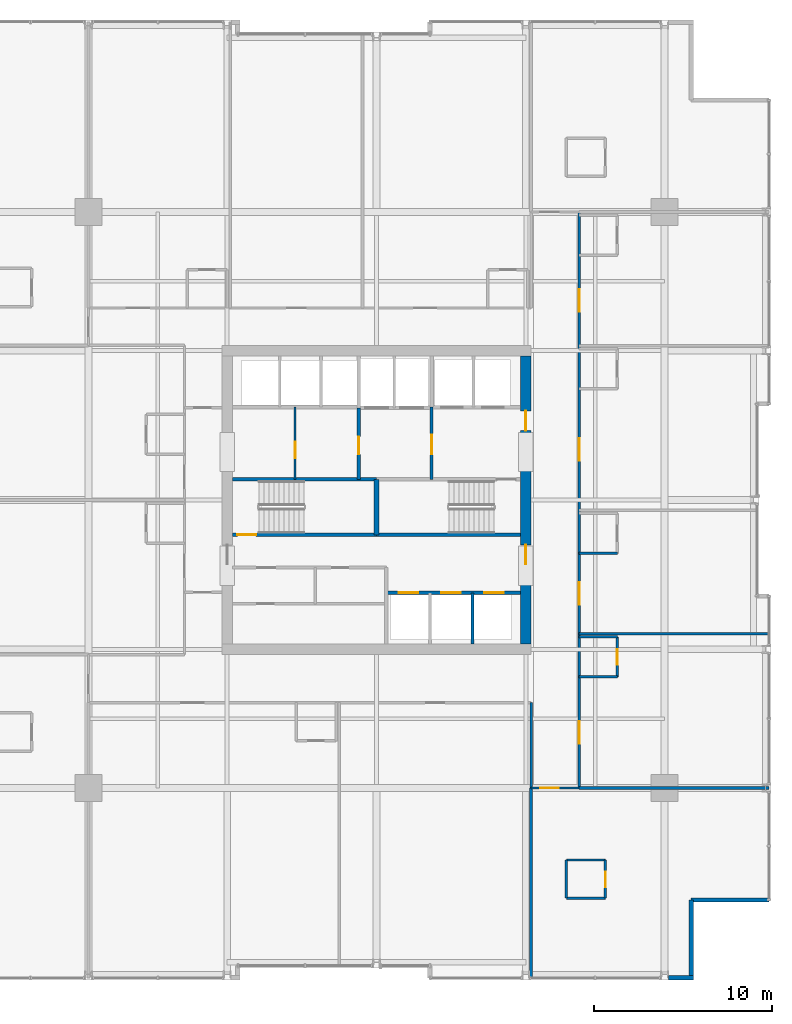
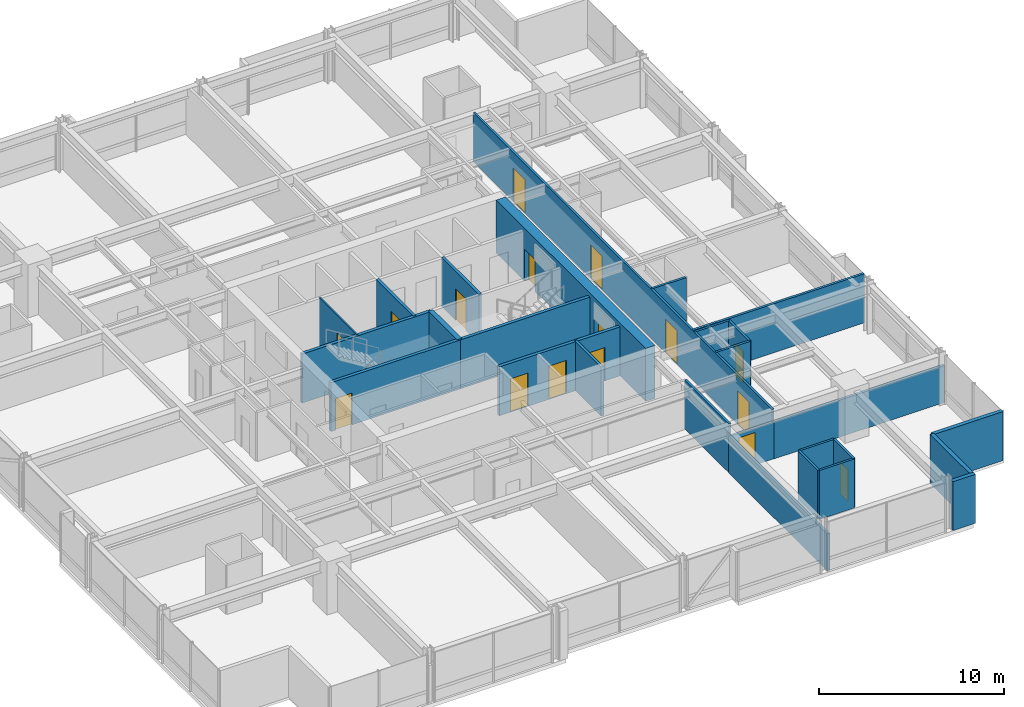
# One storey, part 29 of 34: 27 walls, 16 doors, 16 openings.
"""IFC4 building model written with IfcOpenShell, lengths in metres."""

from ifc_helpers import new_model, si_unit, direction, frame, frame_2d, origin, place, context, subcontext, project, spatial, rectangle, extrude, material, layer, layer_set, type_object, element, fill, save


model = new_model("IFC4")

# Units and contexts
model_context = context("Model", 3, precision=1e-05, world=origin(), true_north=direction((0.0, 1.0)))
body_context = subcontext(model_context, "Body", "Model", "MODEL_VIEW")
ifc_project = project(units=[si_unit("LENGTHUNIT", "METRE"), si_unit("AREAUNIT", "SQUARE_METRE"), si_unit("VOLUMEUNIT", "CUBIC_METRE"), si_unit("PLANEANGLEUNIT", "RADIAN"), si_unit("MASSUNIT", "GRAM", prefix="KILO")], contexts=[model_context])

# Site, building, storey
site_placement = place(None, origin())
site = spatial("IfcSite", under=ifc_project, at=site_placement, CompositionType="ELEMENT")
building_placement = place(site_placement, origin())
building = spatial("IfcBuilding", under=site, at=building_placement, Name="Drelvath Grand Hotel", CompositionType="ELEMENT")
storey_placement = place(building_placement, frame((0.0, 0.0, 109.300048828125)))
storey = spatial("IfcBuildingStorey", under=building, at=storey_placement, Name="L27", CompositionType="ELEMENT", Elevation=109.300048828125)

# Wall, opening, door
ifc_material_1 = material(Name="Gypsum Partition Board")
ifc_layer_1 = layer(ifc_material_1, 0.10009765625)
ifc_layer_set_1 = layer_set([ifc_layer_1], Name="Gypsum Partition Board")
wall_type_1 = type_object("IfcWallType", Name="Core Closet Partition 100", PredefinedType="PARTITIONING", material=ifc_layer_set_1)
wall_1_placement = place(storey_placement, frame((-4.580078125, 28.159912109375, 0.0), z_axis=(0.0, 0.0, 1.0), x_axis=(0.0, 1.0, 0.0)))
wall_1 = element("IfcWall", 1, at=wall_1_placement, inside=storey, type_object=wall_type_1, Name="L27 Core Closet Divider", PredefinedType="PARTITIONING", context=body_context, shape_type="SweptSolid", body=[
    extrude(rectangle(XDim=4.06005859375, YDim=0.10009765625, at=frame_2d((2.030029296875, 0.0))), origin(), (0.0, 0.0, 1.0), 3.239990234375),
])
opening_1_placement = place(wall_1_placement, frame((1.199951171875, 0.0, 0.0)))
opening_1 = element("IfcOpeningElement", 2, at=opening_1_placement, cuts=wall_1, Name="Opening D-T2G2-010", PredefinedType="OPENING", context=body_context, shape_type="SweptSolid", body=[
    extrude(rectangle(XDim=0.919921875, YDim=2.10009765625, at=frame_2d((0.4599609375, 1.050048828125))), frame((0.0, 0.06005859375, 0.0), z_axis=(0.0, -1.0, 0.0), x_axis=(1.0, 0.0, 0.0)), (0.0, 0.0, 1.0), 0.1201171875),
])
ifc_material_2 = material(Name="Painted Steel S275", Category="steel")
door_type_1 = type_object("IfcDoorType", Name="Staff Utility Door 920x2100", OperationType="NOTDEFINED", PredefinedType="DOOR", material=ifc_material_2)
door_1_placement = place(opening_1_placement, origin())
door_1 = element("IfcDoor", 3, at=door_1_placement, inside=storey, type_object=door_type_1, Name="L27 Electrical Closet Door", OperationType="SINGLE_SWING_RIGHT", OverallHeight=2.10009765625, OverallWidth=0.919921875, PredefinedType="DOOR", context=body_context, shape_type="SweptSolid", body=[
    extrude(rectangle(XDim=0.919921875, YDim=2.10009765625, at=frame_2d((0.4599609375, 1.050048828125))), frame((0.0, 0.02490234375, 0.0), z_axis=(0.0, -1.0, 0.0), x_axis=(1.0, 0.0, 0.0)), (0.0, 0.0, 1.0), 0.050048828125),
])
fill(opening_1, door_1)

# Wall, openings, doors
ifc_material_3 = material(Name="Concrete C40/50", Category="concrete")
ifc_layer_2 = layer(ifc_material_3, 0.199951171875)
ifc_layer_set_2 = layer_set([ifc_layer_2], Name="Concrete C40/50")
wall_type_2 = type_object("IfcWallType", Name="Core Hoistway Fire Wall 200", PredefinedType="SOLIDWALL", material=ifc_layer_set_2)
wall_2_placement = place(storey_placement, frame((8.10009765625, 21.780029296875, 0.0), z_axis=(0.0, 0.0, 1.0), x_axis=(-1.0, 0.0, 0.0)))
wall_2 = element("IfcWall", 4, at=wall_2_placement, inside=storey, type_object=wall_type_2, Name="L27 Bank 2 Hoistway Wall", PredefinedType="SOLIDWALL", context=body_context, shape_type="SweptSolid", body=[
    extrude(rectangle(XDim=7.550048828125, YDim=0.199951171875, at=frame_2d((3.77490234375, 0.0))), origin(), (0.0, 0.0, 1.0), 3.239990234375),
])
opening_2_placement = place(wall_2_placement, frame((5.75, 0.0, 0.0)))
opening_2 = element("IfcOpeningElement", 5, at=opening_2_placement, cuts=wall_2, Name="Opening LD-PE-4", PredefinedType="OPENING", context=body_context, shape_type="SweptSolid", body=[
    extrude(rectangle(XDim=1.10009765625, YDim=2.199951171875, at=frame_2d((0.550048828125, 1.10009765625))), frame((0.0, 0.10986328125, 0.0), z_axis=(0.0, -1.0, 0.0), x_axis=(1.0, 0.0, 0.0)), (0.0, 0.0, 1.0), 0.219970703125),
])
opening_3_placement = place(wall_2_placement, frame((3.35009765625, 0.0, 0.0)))
opening_3 = element("IfcOpeningElement", 6, at=opening_3_placement, cuts=wall_2, Name="Opening LD-PE-5", PredefinedType="OPENING", context=body_context, shape_type="SweptSolid", body=[
    extrude(rectangle(XDim=1.10009765625, YDim=2.199951171875, at=frame_2d((0.550048828125, 1.10009765625))), frame((0.0, 0.10986328125, 0.0), z_axis=(0.0, -1.0, 0.0), x_axis=(1.0, 0.0, 0.0)), (0.0, 0.0, 1.0), 0.219970703125),
])
opening_4_placement = place(wall_2_placement, frame((0.949951171875, 0.0, 0.0)))
opening_4 = element("IfcOpeningElement", 7, at=opening_4_placement, cuts=wall_2, Name="Opening LD-PE-6", PredefinedType="OPENING", context=body_context, shape_type="SweptSolid", body=[
    extrude(rectangle(XDim=1.10009765625, YDim=2.199951171875, at=frame_2d((0.550048828125, 1.10009765625))), frame((0.0, 0.10986328125, 0.0), z_axis=(0.0, -1.0, 0.0), x_axis=(1.0, 0.0, 0.0)), (0.0, 0.0, 1.0), 0.219970703125),
])
ifc_material_4 = material(Name="Stainless Steel S355", Category="steel")
door_type_2 = type_object("IfcDoorType", Name="Passenger Lift Sliding Landing Door 1100x2200", OperationType="NOTDEFINED", PredefinedType="DOOR", material=ifc_material_4)
door_2_placement = place(opening_2_placement, origin())
door_2 = element("IfcDoor", 8, at=door_2_placement, inside=storey, type_object=door_type_2, Name="L27 Lift PE-4 Landing Door", OperationType="SLIDING_TO_LEFT", OverallHeight=2.199951171875, OverallWidth=1.10009765625, PredefinedType="DOOR", context=body_context, shape_type="SweptSolid", body=[
    extrude(rectangle(XDim=1.10009765625, YDim=2.199951171875, at=frame_2d((0.550048828125, 1.10009765625))), frame((0.0, 0.02490234375, 0.0), z_axis=(0.0, -1.0, 0.0), x_axis=(1.0, 0.0, 0.0)), (0.0, 0.0, 1.0), 0.050048828125),
])
fill(opening_2, door_2)
door_3_placement = place(opening_3_placement, origin())
door_3 = element("IfcDoor", 9, at=door_3_placement, inside=storey, type_object=door_type_2, Name="L27 Lift PE-5 Landing Door", OperationType="SLIDING_TO_LEFT", OverallHeight=2.199951171875, OverallWidth=1.10009765625, PredefinedType="DOOR", context=body_context, shape_type="SweptSolid", body=[
    extrude(rectangle(XDim=1.10009765625, YDim=2.199951171875, at=frame_2d((0.550048828125, 1.10009765625))), frame((0.0, 0.02490234375, 0.0), z_axis=(0.0, -1.0, 0.0), x_axis=(1.0, 0.0, 0.0)), (0.0, 0.0, 1.0), 0.050048828125),
])
fill(opening_3, door_3)
door_4_placement = place(opening_4_placement, origin())
door_4 = element("IfcDoor", 10, at=door_4_placement, inside=storey, type_object=door_type_2, Name="L27 Lift PE-6 Landing Door", OperationType="SLIDING_TO_LEFT", OverallHeight=2.199951171875, OverallWidth=1.10009765625, PredefinedType="DOOR", context=body_context, shape_type="SweptSolid", body=[
    extrude(rectangle(XDim=1.10009765625, YDim=2.199951171875, at=frame_2d((0.550048828125, 1.10009765625))), frame((0.0, 0.02490234375, 0.0), z_axis=(0.0, -1.0, 0.0), x_axis=(1.0, 0.0, 0.0)), (0.0, 0.0, 1.0), 0.050048828125),
])
fill(opening_4, door_4)

# Wall, opening, door
ifc_layer_3 = layer(ifc_material_3, 0.199951171875)
ifc_layer_set_3 = layer_set([ifc_layer_3], Name="Concrete C40/50")
wall_type_3 = type_object("IfcWallType", Name="Core Shaft Fire Wall 200", PredefinedType="SOLIDWALL", material=ifc_layer_set_3)
wall_3_placement = place(storey_placement, frame((-8.10009765625, 25.0400390625, 0.0), z_axis=(0.0, 0.0, 1.0), x_axis=(1.0, 0.0, 0.0)))
wall_3 = element("IfcWall", 11, at=wall_3_placement, inside=storey, type_object=wall_type_3, Name="L27 Stair ST-1 South Wall", PredefinedType="SOLIDWALL", context=body_context, shape_type="SweptSolid", body=[
    extrude(rectangle(XDim=8.10009765625, YDim=0.199951171875, at=frame_2d((4.050048828125, 0.0))), origin(), (0.0, 0.0, 1.0), 3.239990234375),
])
opening_5_placement = place(wall_3_placement, frame((0.280029296875, 0.0, 0.0)))
opening_5 = element("IfcOpeningElement", 12, at=opening_5_placement, cuts=wall_3, Name="Opening D-T2G2-001", PredefinedType="OPENING", context=body_context, shape_type="SweptSolid", body=[
    extrude(rectangle(XDim=1.050048828125, YDim=2.10009765625, at=frame_2d((0.52490234375, 1.050048828125))), frame((0.0, 0.10986328125, 0.0), z_axis=(0.0, -1.0, 0.0), x_axis=(1.0, 0.0, 0.0)), (0.0, 0.0, 1.0), 0.219970703125),
])
door_type_3 = type_object("IfcDoorType", Name="Tower Stairwell Fire Door 1050x2100", OperationType="NOTDEFINED", PredefinedType="DOOR", material=ifc_material_2)
door_5_placement = place(opening_5_placement, origin())
door_5 = element("IfcDoor", 13, at=door_5_placement, inside=storey, type_object=door_type_3, Name="L27 Exit Stair ST-1 Door", OperationType="SINGLE_SWING_LEFT", OverallHeight=2.10009765625, OverallWidth=1.050048828125, PredefinedType="DOOR", context=body_context, shape_type="SweptSolid", body=[
    extrude(rectangle(XDim=1.050048828125, YDim=2.10009765625, at=frame_2d((0.52490234375, 1.050048828125))), frame((0.0, 0.02490234375, 0.0), z_axis=(0.0, -1.0, 0.0), x_axis=(1.0, 0.0, 0.0)), (0.0, 0.0, 1.0), 0.050048828125),
])
fill(opening_5, door_5)

# Walls
for number, where, z_axis, x_axis, name in (
    (14, (-8.10009765625, 28.159912109375, 0.0), (0.0, 0.0, 1.0), (1.0, 0.0, 0.0), "L27 Stair ST-1 North Wall"),
    (15, (0.0, 25.0400390625, 0.0), (0.0, 0.0, 1.0), (1.0, 0.0, 0.0), "L27 Stair ST-2 South Wall"),
):
    element("IfcWall", number, at=place(storey_placement, frame(where, z_axis=z_axis, x_axis=x_axis)), inside=storey, type_object=wall_type_3, Name=name, PredefinedType="SOLIDWALL", context=body_context, shape_type="SweptSolid", body=[
        extrude(rectangle(XDim=8.10009765625, YDim=0.199951171875, at=frame_2d((4.050048828125, 0.0))), origin(), (0.0, 0.0, 1.0), 3.239990234375),
    ])
ifc_layer_4 = layer(ifc_material_3, 0.300048828125)
ifc_layer_set_4 = layer_set([ifc_layer_4], Name="Concrete C40/50")
wall_type_4 = type_object("IfcWallType", Name="Core Shaft Fire Wall 300", PredefinedType="SOLIDWALL", material=ifc_layer_set_4)
wall_4_placement = place(storey_placement, frame((0.0, 25.0400390625, 0.0), z_axis=(0.0, 0.0, 1.0), x_axis=(0.0, 1.0, 0.0)))
element("IfcWall", 16, at=wall_4_placement, inside=storey, type_object=wall_type_4, Name="L27 Core Stair Divider Wall", PredefinedType="SOLIDWALL", context=body_context, shape_type="SweptSolid", body=[
    extrude(rectangle(XDim=3.119873046875, YDim=0.300048828125, at=frame_2d((1.56005859375, 0.0))), origin(), (0.0, 0.0, 1.0), 3.239990234375),
])
ifc_material_5 = material(Name="Gypsum Fireboard Partition")
ifc_layer_5 = layer(ifc_material_5, 0.1650390625)
ifc_layer_set_5 = layer_set([ifc_layer_5], Name="Gypsum Fireboard Partition")
wall_type_5 = type_object("IfcWallType", Name="Core Shaft Partition 165", PredefinedType="PARTITIONING", material=ifc_layer_set_5)
wall_5_placement = place(storey_placement, frame((5.39990234375, 18.89990234375, 0.0), z_axis=(0.0, 0.0, 1.0), x_axis=(0.0, 1.0, 0.0)))
element("IfcWall", 17, at=wall_5_placement, inside=storey, type_object=wall_type_5, Name="L27 Lift PE-5/6 Divider", PredefinedType="PARTITIONING", context=body_context, shape_type="SweptSolid", body=[
    extrude(rectangle(XDim=2.880126953125, YDim=0.1650390625, at=frame_2d((1.43994140625, 0.0))), origin(), (0.0, 0.0, 1.0), 3.239990234375),
])
ifc_layer_6 = layer(ifc_material_5, 0.135009765625)
ifc_layer_set_6 = layer_set([ifc_layer_6], Name="Gypsum Fireboard Partition")
wall_type_6 = type_object("IfcWallType", Name="Corridor Fire Barrier Wall 135", PredefinedType="PARTITIONING", material=ifc_layer_set_6)
wall_6_placement = place(storey_placement, frame((8.699951171875, 10.800048828125, 0.0), z_axis=(0.0, 0.0, 1.0), x_axis=(0.0, 1.0, 0.0)))
element("IfcWall", 18, at=wall_6_placement, inside=storey, type_object=wall_type_6, Name="L27 East Spine South Inner Wall", PredefinedType="PARTITIONING", context=body_context, shape_type="SweptSolid", body=[
    extrude(rectangle(XDim=4.800048828125, YDim=0.135009765625, at=frame_2d((2.39990234375, 0.0))), origin(), (0.0, 0.0, 1.0), 3.239990234375),
])

# Wall, openings, doors
wall_7_placement = place(storey_placement, frame((11.39990234375, 10.800048828125, 0.0), z_axis=(0.0, 0.0, 1.0), x_axis=(0.0, 1.0, 0.0)))
wall_7 = element("IfcWall", 19, at=wall_7_placement, inside=storey, type_object=wall_type_6, Name="L27 East Spine Corridor Wall", PredefinedType="PARTITIONING", context=body_context, shape_type="SweptSolid", body=[
    extrude(rectangle(XDim=32.39990234375, YDim=0.135009765625, at=frame_2d((16.199951171875, 0.0))), origin(), (0.0, 0.0, 1.0), 3.239990234375),
])
opening_6_placement = place(wall_7_placement, frame((2.494384765625, 0.0, 0.0)))
opening_6 = element("IfcOpeningElement", 20, at=opening_6_placement, cuts=wall_7, Name="Opening D-T2G2-038", PredefinedType="OPENING", context=body_context, shape_type="SweptSolid", body=[
    extrude(rectangle(XDim=1.260009765625, YDim=2.199951171875, at=frame_2d((0.6298828125, 1.10009765625))), frame((0.0, 0.077392578125, 0.0), z_axis=(0.0, -1.0, 0.0), x_axis=(1.0, 0.0, 0.0)), (0.0, 0.0, 1.0), 0.155029296875),
])
opening_7_placement = place(wall_7_placement, frame((10.304931640625, 0.0, 0.0)))
opening_7 = element("IfcOpeningElement", 21, at=opening_7_placement, cuts=wall_7, Name="Opening D-T2G2-040", PredefinedType="OPENING", context=body_context, shape_type="SweptSolid", body=[
    extrude(rectangle(XDim=1.260009765625, YDim=2.199951171875, at=frame_2d((0.6298828125, 1.10009765625))), frame((0.0, 0.077392578125, 0.0), z_axis=(0.0, -1.0, 0.0), x_axis=(1.0, 0.0, 0.0)), (0.0, 0.0, 1.0), 0.155029296875),
])
opening_8_placement = place(wall_7_placement, frame((18.405029296875, 0.0, 0.0)))
opening_8 = element("IfcOpeningElement", 22, at=opening_8_placement, cuts=wall_7, Name="Opening D-T2G2-042", PredefinedType="OPENING", context=body_context, shape_type="SweptSolid", body=[
    extrude(rectangle(XDim=1.260009765625, YDim=2.199951171875, at=frame_2d((0.6298828125, 1.10009765625))), frame((0.0, 0.077392578125, 0.0), z_axis=(0.0, -1.0, 0.0), x_axis=(1.0, 0.0, 0.0)), (0.0, 0.0, 1.0), 0.155029296875),
])
opening_9_placement = place(wall_7_placement, frame((26.794189453125, 0.0, 0.0)))
opening_9 = element("IfcOpeningElement", 23, at=opening_9_placement, cuts=wall_7, Name="Opening D-T2G2-044", PredefinedType="OPENING", context=body_context, shape_type="SweptSolid", body=[
    extrude(rectangle(XDim=1.260009765625, YDim=2.199951171875, at=frame_2d((0.6298828125, 1.10009765625))), frame((0.0, 0.077392578125, 0.0), z_axis=(0.0, -1.0, 0.0), x_axis=(1.0, 0.0, 0.0)), (0.0, 0.0, 1.0), 0.155029296875),
])
ifc_material_6 = material(Name="Hardwood Walnut Timber", Category="wood")
door_type_4 = type_object("IfcDoorType", Name="Suite Entrance Fire Door 1260x2200", OperationType="NOTDEFINED", PredefinedType="DOOR", material=ifc_material_6)
door_6_placement = place(opening_6_placement, origin())
door_6 = element("IfcDoor", 24, at=door_6_placement, inside=storey, type_object=door_type_4, Name="L27 Corner Suite Entry Door", OperationType="SINGLE_SWING_LEFT", OverallHeight=2.199951171875, OverallWidth=1.260009765625, PredefinedType="DOOR", context=body_context, shape_type="SweptSolid", body=[
    extrude(rectangle(XDim=1.260009765625, YDim=2.199951171875, at=frame_2d((0.6298828125, 1.10009765625))), frame((0.0, 0.02490234375, 0.0), z_axis=(0.0, -1.0, 0.0), x_axis=(1.0, 0.0, 0.0)), (0.0, 0.0, 1.0), 0.050048828125),
])
fill(opening_6, door_6)
door_7_placement = place(opening_7_placement, origin())
door_7 = element("IfcDoor", 25, at=door_7_placement, inside=storey, type_object=door_type_4, Name="L27 Corner Suite Entry Door", OperationType="SINGLE_SWING_LEFT", OverallHeight=2.199951171875, OverallWidth=1.260009765625, PredefinedType="DOOR", context=body_context, shape_type="SweptSolid", body=[
    extrude(rectangle(XDim=1.260009765625, YDim=2.199951171875, at=frame_2d((0.6298828125, 1.10009765625))), frame((0.0, 0.02490234375, 0.0), z_axis=(0.0, -1.0, 0.0), x_axis=(1.0, 0.0, 0.0)), (0.0, 0.0, 1.0), 0.050048828125),
])
fill(opening_7, door_7)
door_8_placement = place(opening_8_placement, origin())
door_8 = element("IfcDoor", 26, at=door_8_placement, inside=storey, type_object=door_type_4, Name="L27 Corner Suite Entry Door", OperationType="SINGLE_SWING_LEFT", OverallHeight=2.199951171875, OverallWidth=1.260009765625, PredefinedType="DOOR", context=body_context, shape_type="SweptSolid", body=[
    extrude(rectangle(XDim=1.260009765625, YDim=2.199951171875, at=frame_2d((0.6298828125, 1.10009765625))), frame((0.0, 0.02490234375, 0.0), z_axis=(0.0, -1.0, 0.0), x_axis=(1.0, 0.0, 0.0)), (0.0, 0.0, 1.0), 0.050048828125),
])
fill(opening_8, door_8)
door_9_placement = place(opening_9_placement, origin())
door_9 = element("IfcDoor", 27, at=door_9_placement, inside=storey, type_object=door_type_4, Name="L27 Corner Suite Entry Door", OperationType="SINGLE_SWING_LEFT", OverallHeight=2.199951171875, OverallWidth=1.260009765625, PredefinedType="DOOR", context=body_context, shape_type="SweptSolid", body=[
    extrude(rectangle(XDim=1.260009765625, YDim=2.199951171875, at=frame_2d((0.6298828125, 1.10009765625))), frame((0.0, 0.02490234375, 0.0), z_axis=(0.0, -1.0, 0.0), x_axis=(1.0, 0.0, 0.0)), (0.0, 0.0, 1.0), 0.050048828125),
])
fill(opening_9, door_9)

# Wall, opening, door
wall_8_placement = place(storey_placement, frame((8.699951171875, 10.800048828125, 0.0), z_axis=(0.0, 0.0, 1.0), x_axis=(1.0, 0.0, 0.0)))
wall_8 = element("IfcWall", 28, at=wall_8_placement, inside=storey, type_object=wall_type_6, Name="L27 East Spine South End", PredefinedType="PARTITIONING", context=body_context, shape_type="SweptSolid", body=[
    extrude(rectangle(XDim=2.699951171875, YDim=0.135009765625, at=frame_2d((1.35009765625, 0.0))), origin(), (0.0, 0.0, 1.0), 2.45166015625),
])
opening_10_placement = place(wall_8_placement, frame((0.52001953125, 0.0, 0.0)))
opening_10 = element("IfcOpeningElement", 29, at=opening_10_placement, cuts=wall_8, Name="Opening D-T2G2-026", PredefinedType="OPENING", context=body_context, shape_type="SweptSolid", body=[
    extrude(rectangle(XDim=1.02001953125, YDim=2.14990234375, at=frame_2d((0.510009765625, 1.074951171875))), frame((0.0, 0.077392578125, 0.0), z_axis=(0.0, -1.0, 0.0), x_axis=(1.0, 0.0, 0.0)), (0.0, 0.0, 1.0), 0.155029296875),
])
door_type_5 = type_object("IfcDoorType", Name="Amenity Meeting Fire Door 1020x2150", OperationType="NOTDEFINED", PredefinedType="DOOR", material=ifc_material_6)
door_10_placement = place(opening_10_placement, origin())
door_10 = element("IfcDoor", 30, at=door_10_placement, inside=storey, type_object=door_type_5, Name="L27 Corner Suite Entry Door", OperationType="SINGLE_SWING_LEFT", OverallHeight=2.14990234375, OverallWidth=1.02001953125, PredefinedType="DOOR", context=body_context, shape_type="SweptSolid", body=[
    extrude(rectangle(XDim=1.02001953125, YDim=2.14990234375, at=frame_2d((0.510009765625, 1.074951171875))), frame((0.0, 0.02490234375, 0.0), z_axis=(0.0, -1.0, 0.0), x_axis=(1.0, 0.0, 0.0)), (0.0, 0.0, 1.0), 0.050048828125),
])
fill(opening_10, door_10)

# Walls
ifc_material_7 = material(Name="Moisture-Resistant Gypsum Board")
ifc_layer_7 = layer(ifc_material_7, 0.139892578125)
ifc_layer_set_7 = layer_set([ifc_layer_7], Name="Moisture-Resistant Gypsum Board")
wall_type_7 = type_object("IfcWallType", Name="En-Suite Plumbing Wall 140", PredefinedType="PLUMBINGWALL", material=ifc_layer_set_7)
for number, where, z_axis, x_axis, name in (
    (31, (10.679931640625, 4.60009765625, 0.0), (0.0, 0.0, 1.0), (1.0, 0.0, 0.0), "L27 Corner En-Suite South"),
    (32, (10.679931640625, 6.75, 0.0), (0.0, 0.0, 1.0), (1.0, 0.0, 0.0), "L27 Corner En-Suite North"),
):
    element("IfcWall", number, at=place(storey_placement, frame(where, z_axis=z_axis, x_axis=x_axis)), inside=storey, type_object=wall_type_7, Name=name, PredefinedType="PLUMBINGWALL", context=body_context, shape_type="SweptSolid", body=[
        extrude(rectangle(XDim=2.199951171875, YDim=0.139892578125, at=frame_2d((1.10009765625, 0.0))), origin(), (0.0, 0.0, 1.0), 3.239990234375),
    ])
wall_9_placement = place(storey_placement, frame((10.679931640625, 4.60009765625, 0.0), z_axis=(0.0, 0.0, 1.0), x_axis=(0.0, 1.0, 0.0)))
element("IfcWall", 33, at=wall_9_placement, inside=storey, type_object=wall_type_7, Name="L27 Corner En-Suite West", PredefinedType="PLUMBINGWALL", context=body_context, shape_type="SweptSolid", body=[
    extrude(rectangle(XDim=2.14990234375, YDim=0.139892578125, at=frame_2d((1.074951171875, 0.0))), origin(), (0.0, 0.0, 1.0), 3.239990234375),
])

# Wall, opening, door
wall_10_placement = place(storey_placement, frame((12.8798828125, 4.60009765625, 0.0), z_axis=(0.0, 0.0, 1.0), x_axis=(0.0, 1.0, 0.0)))
wall_10 = element("IfcWall", 34, at=wall_10_placement, inside=storey, type_object=wall_type_7, Name="L27 Corner En-Suite East", PredefinedType="PLUMBINGWALL", context=body_context, shape_type="SweptSolid", body=[
    extrude(rectangle(XDim=2.14990234375, YDim=0.139892578125, at=frame_2d((1.074951171875, 0.0))), origin(), (0.0, 0.0, 1.0), 3.239990234375),
])
opening_11_placement = place(wall_10_placement, frame((0.6201171875, 0.0, 0.0)))
opening_11 = element("IfcOpeningElement", 35, at=opening_11_placement, cuts=wall_10, Name="Opening D-T2G2-025", PredefinedType="OPENING", context=body_context, shape_type="SweptSolid", body=[
    extrude(rectangle(XDim=0.8798828125, YDim=2.10009765625, at=frame_2d((0.43994140625, 1.050048828125))), frame((0.0, 0.079833984375, 0.0), z_axis=(0.0, -1.0, 0.0), x_axis=(1.0, 0.0, 0.0)), (0.0, 0.0, 1.0), 0.159912109375),
])
door_type_6 = type_object("IfcDoorType", Name="En-Suite Bathroom Door 880x2100", OperationType="NOTDEFINED", PredefinedType="DOOR", material=ifc_material_6)
door_11_placement = place(opening_11_placement, origin())
door_11 = element("IfcDoor", 36, at=door_11_placement, inside=storey, type_object=door_type_6, Name="L27 Corner En-Suite Door", OperationType="SINGLE_SWING_RIGHT", OverallHeight=2.10009765625, OverallWidth=0.8798828125, PredefinedType="DOOR", context=body_context, shape_type="SweptSolid", body=[
    extrude(rectangle(XDim=0.8798828125, YDim=2.10009765625, at=frame_2d((0.43994140625, 1.050048828125))), frame((0.0, 0.02490234375, 0.0), z_axis=(0.0, -1.0, 0.0), x_axis=(1.0, 0.0, 0.0)), (0.0, 0.0, 1.0), 0.050048828125),
])
fill(opening_11, door_11)

# Walls
for number, where, z_axis, x_axis, name in (
    (37, (11.39990234375, 17.048583984375, 0.0), (0.0, 0.0, 1.0), (1.0, 0.0, 0.0), "L27 En-Suite Left Wall"),
    (38, (11.39990234375, 19.298583984375, 0.0), (0.0, 0.0, 1.0), (1.0, 0.0, 0.0), "L27 En-Suite Right Wall"),
):
    element("IfcWall", number, at=place(storey_placement, frame(where, z_axis=z_axis, x_axis=x_axis)), inside=storey, type_object=wall_type_7, Name=name, PredefinedType="PLUMBINGWALL", context=body_context, shape_type="SweptSolid", body=[
        extrude(rectangle(XDim=2.150146484375, YDim=0.139892578125, at=frame_2d((1.0751953125, 0.0))), origin(), (0.0, 0.0, 1.0), 3.239990234375),
    ])

# Wall, opening, door
wall_11_placement = place(storey_placement, frame((13.550048828125, 17.048583984375, 0.0), z_axis=(0.0, 0.0, 1.0), x_axis=(0.0, 1.0, 0.0)))
wall_11 = element("IfcWall", 39, at=wall_11_placement, inside=storey, type_object=wall_type_7, Name="L27 En-Suite Front Wall", PredefinedType="PLUMBINGWALL", context=body_context, shape_type="SweptSolid", body=[
    extrude(rectangle(XDim=2.25, YDim=0.139892578125, at=frame_2d((1.125, 0.0))), origin(), (0.0, 0.0, 1.0), 3.239990234375),
])
opening_12_placement = place(wall_11_placement, frame((0.68505859375, 0.0, 0.0)))
opening_12 = element("IfcOpeningElement", 40, at=opening_12_placement, cuts=wall_11, Name="Opening D-T2G2-037", PredefinedType="OPENING", context=body_context, shape_type="SweptSolid", body=[
    extrude(rectangle(XDim=0.8798828125, YDim=2.10009765625, at=frame_2d((0.43994140625, 1.050048828125))), frame((0.0, 0.079833984375, 0.0), z_axis=(0.0, -1.0, 0.0), x_axis=(1.0, 0.0, 0.0)), (0.0, 0.0, 1.0), 0.159912109375),
])
door_12_placement = place(opening_12_placement, origin())
door_12 = element("IfcDoor", 41, at=door_12_placement, inside=storey, type_object=door_type_6, Name="L27 En-Suite Bathroom Door", OperationType="SINGLE_SWING_RIGHT", OverallHeight=2.10009765625, OverallWidth=0.8798828125, PredefinedType="DOOR", context=body_context, shape_type="SweptSolid", body=[
    extrude(rectangle(XDim=0.8798828125, YDim=2.10009765625, at=frame_2d((0.43994140625, 1.050048828125))), frame((0.0, 0.02490234375, 0.0), z_axis=(0.0, -1.0, 0.0), x_axis=(1.0, 0.0, 0.0)), (0.0, 0.0, 1.0), 0.050048828125),
])
fill(opening_12, door_12)

# Wall
wall_12_placement = place(storey_placement, frame((11.39990234375, 23.991455078125, 0.0), z_axis=(0.0, 0.0, 1.0), x_axis=(1.0, 0.0, 0.0)))
element("IfcWall", 42, at=wall_12_placement, inside=storey, type_object=wall_type_7, Name="L27 En-Suite Left Wall", PredefinedType="PLUMBINGWALL", context=body_context, shape_type="SweptSolid", body=[
    extrude(rectangle(XDim=2.150146484375, YDim=0.139892578125, at=frame_2d((1.0751953125, 0.0))), origin(), (0.0, 0.0, 1.0), 3.239990234375),
])

# Wall, opening, door
ifc_layer_8 = layer(ifc_material_5, 0.179931640625)
ifc_layer_set_8 = layer_set([ifc_layer_8], Name="Gypsum Fireboard Partition")
wall_type_8 = type_object("IfcWallType", Name="FSAE Smoke Lobby Fire Wall 180", PredefinedType="SOLIDWALL", material=ifc_layer_set_8)
wall_13_placement = place(storey_placement, frame((3.10009765625, 28.159912109375, 0.0), z_axis=(0.0, 0.0, 1.0), x_axis=(0.0, 1.0, 0.0)))
wall_13 = element("IfcWall", 43, at=wall_13_placement, inside=storey, type_object=wall_type_8, Name="L27 FSAE Smoke Lobby West Wall", PredefinedType="SOLIDWALL", context=body_context, shape_type="SweptSolid", body=[
    extrude(rectangle(XDim=4.06005859375, YDim=0.179931640625, at=frame_2d((2.030029296875, 0.0))), origin(), (0.0, 0.0, 1.0), 3.239990234375),
])
opening_13_placement = place(wall_13_placement, frame((1.39990234375, 0.0, 0.0)))
opening_13 = element("IfcOpeningElement", 44, at=opening_13_placement, cuts=wall_13, Name="Opening D-T2G2-005", PredefinedType="OPENING", context=body_context, shape_type="SweptSolid", body=[
    extrude(rectangle(XDim=1.1201171875, YDim=2.10009765625, at=frame_2d((0.56005859375, 1.050048828125))), frame((0.0, 0.099853515625, 0.0), z_axis=(0.0, -1.0, 0.0), x_axis=(1.0, 0.0, 0.0)), (0.0, 0.0, 1.0), 0.199951171875),
])
door_type_7 = type_object("IfcDoorType", Name="FSAE Smoke Lobby Fire Door 1120x2100", OperationType="NOTDEFINED", PredefinedType="DOOR", material=ifc_material_2)
door_13_placement = place(opening_13_placement, origin())
door_13 = element("IfcDoor", 45, at=door_13_placement, inside=storey, type_object=door_type_7, Name="L27 FSAE Lobby Service Vestibule Door", OperationType="SINGLE_SWING_RIGHT", OverallHeight=2.10009765625, OverallWidth=1.1201171875, PredefinedType="DOOR", context=body_context, shape_type="SweptSolid", body=[
    extrude(rectangle(XDim=1.1201171875, YDim=2.10009765625, at=frame_2d((0.56005859375, 1.050048828125))), frame((0.0, 0.02490234375, 0.0), z_axis=(0.0, -1.0, 0.0), x_axis=(1.0, 0.0, 0.0)), (0.0, 0.0, 1.0), 0.050048828125),
])
fill(opening_13, door_13)

wall_14_placement = place(storey_placement, frame((-1.0, 28.159912109375, 0.0), z_axis=(0.0, 0.0, 1.0), x_axis=(0.0, 1.0, 0.0)))
wall_14 = element("IfcWall", 46, at=wall_14_placement, inside=storey, type_object=wall_type_8, Name="L27 Service Vestibule West Wall", PredefinedType="SOLIDWALL", context=body_context, shape_type="SweptSolid", body=[
    extrude(rectangle(XDim=4.02001953125, YDim=0.179931640625, at=frame_2d((2.010009765625, 0.0))), origin(), (0.0, 0.0, 1.0), 3.239990234375),
])
opening_14_placement = place(wall_14_placement, frame((1.39990234375, 0.0, 0.0)))
opening_14 = element("IfcOpeningElement", 47, at=opening_14_placement, cuts=wall_14, Name="Opening D-T2G2-009", PredefinedType="OPENING", context=body_context, shape_type="SweptSolid", body=[
    extrude(rectangle(XDim=1.0, YDim=2.10009765625, at=frame_2d((0.5, 1.050048828125))), frame((0.0, 0.099853515625, 0.0), z_axis=(0.0, -1.0, 0.0), x_axis=(1.0, 0.0, 0.0)), (0.0, 0.0, 1.0), 0.199951171875),
])
door_type_8 = type_object("IfcDoorType", Name="Core Service Fire Door 1000x2100", OperationType="NOTDEFINED", PredefinedType="DOOR", material=ifc_material_2)
door_14_placement = place(opening_14_placement, origin())
door_14 = element("IfcDoor", 48, at=door_14_placement, inside=storey, type_object=door_type_8, Name="L27 Service Vestibule West Door", OperationType="SINGLE_SWING_LEFT", OverallHeight=2.10009765625, OverallWidth=1.0, PredefinedType="DOOR", context=body_context, shape_type="SweptSolid", body=[
    extrude(rectangle(XDim=1.0, YDim=2.10009765625, at=frame_2d((0.5, 1.050048828125))), frame((0.0, 0.02490234375, 0.0), z_axis=(0.0, -1.0, 0.0), x_axis=(1.0, 0.0, 0.0)), (0.0, 0.0, 1.0), 0.050048828125),
])
fill(opening_14, door_14)

# Wall
ifc_material_8 = material(Name="Gypsum Acoustic Partition")
ifc_layer_9 = layer(ifc_material_8, 0.14990234375)
ifc_layer_set_9 = layer_set([ifc_layer_9], Name="Gypsum Acoustic Partition")
wall_type_9 = type_object("IfcWallType", Name="Guestroom Demising Wall 150", PredefinedType="PARTITIONING", material=ifc_layer_set_9)
wall_15_placement = place(storey_placement, frame((11.39990234375, 19.478515625, 0.0), z_axis=(0.0, 0.0, 1.0), x_axis=(1.0, 0.0, 0.0)))
element("IfcWall", 49, at=wall_15_placement, inside=storey, type_object=wall_type_9, Name="L27 East Demising 1", PredefinedType="PARTITIONING", context=body_context, shape_type="SweptSolid", body=[
    extrude(rectangle(XDim=10.68017578125, YDim=0.14990234375, at=frame_2d((5.340087890625, 0.0))), origin(), (0.0, 0.0, 1.0), 3.239990234375),
])

# Wall, openings, doors
ifc_material_9 = material(Name="Concrete f'c 70 MPa", Category="concrete")
ifc_layer_10 = layer(ifc_material_9, 0.60009765625)
ifc_layer_set_10 = layer_set([ifc_layer_10], Name="Concrete f'c 70 MPa")
wall_type_10 = type_object("IfcWallType", Name="Lower Core RC Shear Wall 600", PredefinedType="SHEAR", material=ifc_layer_set_10)
wall_16_placement = place(storey_placement, frame((8.39990234375, 35.10009765625, 0.0), z_axis=(0.0, 0.0, 1.0), x_axis=(0.0, -1.0, 0.0)))
wall_16 = element("IfcWall", 50, at=wall_16_placement, inside=storey, type_object=wall_type_10, Name="L27 Central Core Shear Wall E", PredefinedType="SHEAR", context=body_context, shape_type="SweptSolid", body=[
    extrude(rectangle(XDim=16.2001953125, YDim=0.60009765625, at=frame_2d((8.10009765625, 0.0))), origin(), (0.0, 0.0, 1.0), 3.5),
])
opening_15_placement = place(wall_16_placement, frame((3.080078125, 0.0, 0.0)))
opening_15 = element("IfcOpeningElement", 51, at=opening_15_placement, cuts=wall_16, Name="Opening D-T2G2-006", PredefinedType="OPENING", context=body_context, shape_type="SweptSolid", body=[
    extrude(rectangle(XDim=1.1201171875, YDim=2.10009765625, at=frame_2d((0.56005859375, 1.050048828125))), frame((0.0, 0.31005859375, 0.0), z_axis=(0.0, -1.0, 0.0), x_axis=(1.0, 0.0, 0.0)), (0.0, 0.0, 1.0), 0.6201171875),
])
opening_16_placement = place(wall_16_placement, frame((10.6201171875, 0.0, 0.0)))
opening_16 = element("IfcOpeningElement", 52, at=opening_16_placement, cuts=wall_16, Name="Opening D-T2G2-015", PredefinedType="OPENING", context=body_context, shape_type="SweptSolid", body=[
    extrude(rectangle(XDim=1.080078125, YDim=2.0400390625, at=frame_2d((0.5400390625, 1.02001953125))), frame((0.0, 0.31005859375, 0.0), z_axis=(0.0, -1.0, 0.0), x_axis=(1.0, 0.0, 0.0)), (0.0, 0.0, 1.0), 0.6201171875),
])
door_type_9 = type_object("IfcDoorType", Name="Core Corridor Fire Door 1080x2100", OperationType="NOTDEFINED", PredefinedType="DOOR", material=ifc_material_2)
door_15_placement = place(opening_16_placement, origin())
door_15 = element("IfcDoor", 53, at=door_15_placement, inside=storey, type_object=door_type_9, Name="L27 Mid-Rise Lobby East Door", OperationType="SINGLE_SWING_RIGHT", OverallHeight=2.0400390625, OverallWidth=1.080078125, PredefinedType="DOOR", context=body_context, shape_type="SweptSolid", body=[
    extrude(rectangle(XDim=1.080078125, YDim=2.0400390625, at=frame_2d((0.5400390625, 1.02001953125))), frame((0.0, 0.02490234375, 0.0), z_axis=(0.0, -1.0, 0.0), x_axis=(1.0, 0.0, 0.0)), (0.0, 0.0, 1.0), 0.050048828125),
])
fill(opening_16, door_15)
door_16_placement = place(opening_15_placement, origin())
door_16 = element("IfcDoor", 54, at=door_16_placement, inside=storey, type_object=door_type_7, Name="L27 FSAE Lobby East Corridor Door", OperationType="SINGLE_SWING_LEFT", OverallHeight=2.10009765625, OverallWidth=1.1201171875, PredefinedType="DOOR", context=body_context, shape_type="SweptSolid", body=[
    extrude(rectangle(XDim=1.1201171875, YDim=2.10009765625, at=frame_2d((0.56005859375, 1.050048828125))), frame((0.0, 0.02490234375, 0.0), z_axis=(0.0, -1.0, 0.0), x_axis=(1.0, 0.0, 0.0)), (0.0, 0.0, 1.0), 0.050048828125),
])
fill(opening_15, door_16)

# Walls
ifc_layer_11 = layer(ifc_material_8, 0.1650390625)
ifc_layer_set_11 = layer_set([ifc_layer_11], Name="Gypsum Acoustic Partition")
wall_type_11 = type_object("IfcWallType", Name="Suite Demising Wall 165", PredefinedType="PARTITIONING", material=ifc_layer_set_11)
wall_17_placement = place(storey_placement, frame((8.699951171875, 0.1201171875, 0.0), z_axis=(0.0, 0.0, 1.0), x_axis=(0.0, 1.0, 0.0)))
element("IfcWall", 55, at=wall_17_placement, inside=storey, type_object=wall_type_11, Name="L27 SE Suite West Wall", PredefinedType="PARTITIONING", context=body_context, shape_type="SweptSolid", body=[
    extrude(rectangle(XDim=10.679931640625, YDim=0.1650390625, at=frame_2d((5.33984375, 0.0))), origin(), (0.0, 0.0, 1.0), 2.45166015625),
])
wall_18_placement = place(storey_placement, frame((11.39990234375, 10.800048828125, 0.0), z_axis=(0.0, 0.0, 1.0), x_axis=(1.0, 0.0, 0.0)))
element("IfcWall", 56, at=wall_18_placement, inside=storey, type_object=wall_type_11, Name="L27 SE Suite North Wall", PredefinedType="PARTITIONING", context=body_context, shape_type="SweptSolid", body=[
    extrude(rectangle(XDim=10.68017578125, YDim=0.1650390625, at=frame_2d((5.340087890625, 0.0))), origin(), (0.0, 0.0, 1.0), 2.45166015625),
])
ifc_material_10 = material(Name="Pale-Metal Insulated Aluminium Spandrel Assembly", Category="aluminium")
ifc_layer_12 = layer(ifc_material_10, 0.239990234375)
ifc_layer_set_12 = layer_set([ifc_layer_12], Name="Pale-Metal Insulated Aluminium Spandrel Assembly")
wall_type_12 = type_object("IfcWallType", Name="Tower Insulated Metal Spandrel Closure Wall 240", PredefinedType="STANDARD", material=ifc_layer_set_12)
wall_19_placement = place(storey_placement, frame((17.820068359375, 0.1201171875, 0.0), z_axis=(0.0, 0.0, 1.0), x_axis=(-1.0, 0.0, 0.0)))
element("IfcWall", 57, at=wall_19_placement, inside=storey, type_object=wall_type_12, Name="L27 Corner Pier Spandrel Wall SE3", PredefinedType="STANDARD", context=body_context, shape_type="SweptSolid", body=[
    extrude(rectangle(XDim=1.400390625, YDim=0.239990234375, at=frame_2d((0.7001953125, 0.0))), origin(), (0.0, 0.0, 1.0), 3.239990234375),
])
wall_20_placement = place(storey_placement, frame((22.080078125, 4.5, 0.0), z_axis=(0.0, 0.0, 1.0), x_axis=(-1.0, 0.0, 0.0)))
element("IfcWall", 58, at=wall_20_placement, inside=storey, type_object=wall_type_12, Name="L27 Notched Corner Return Spandrel Wall CSE1", PredefinedType="STANDARD", context=body_context, shape_type="SweptSolid", body=[
    extrude(rectangle(XDim=4.380126953125, YDim=0.239990234375, at=frame_2d((2.18994140625, 0.0))), origin(), (0.0, 0.0, 1.0), 3.239990234375),
])
wall_21_placement = place(storey_placement, frame((17.699951171875, 4.5, 0.0), z_axis=(0.0, 0.0, 1.0), x_axis=(0.0, -1.0, 0.0)))
element("IfcWall", 59, at=wall_21_placement, inside=storey, type_object=wall_type_12, Name="L27 Notched Corner Return Spandrel Wall CSE2", PredefinedType="STANDARD", context=body_context, shape_type="SweptSolid", body=[
    extrude(rectangle(XDim=4.260009765625, YDim=0.239990234375, at=frame_2d((2.1298828125, 0.0))), origin(), (0.0, 0.0, 1.0), 3.239990234375),
])

save(model, "model.ifc")
